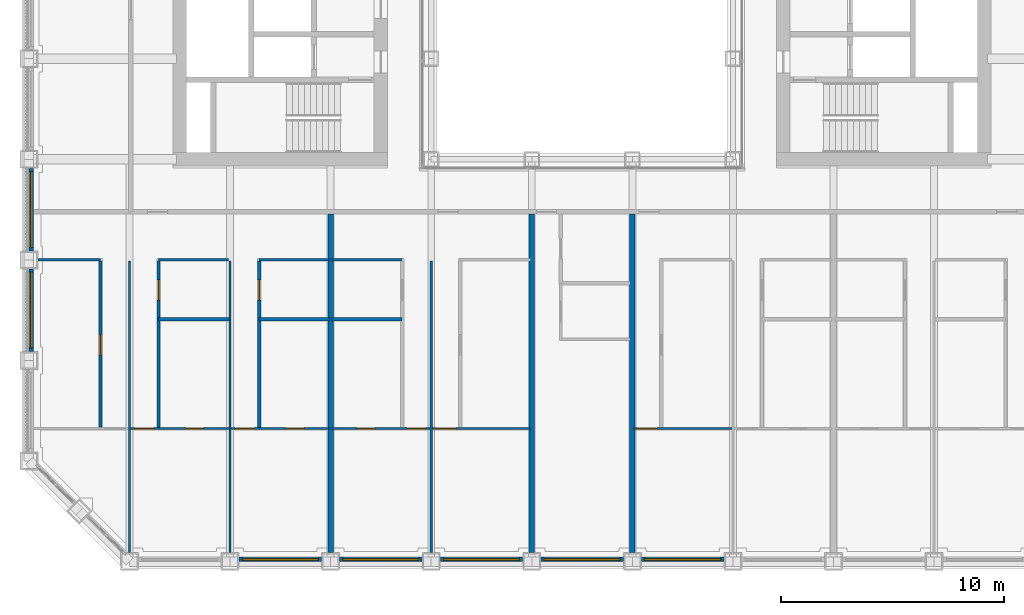
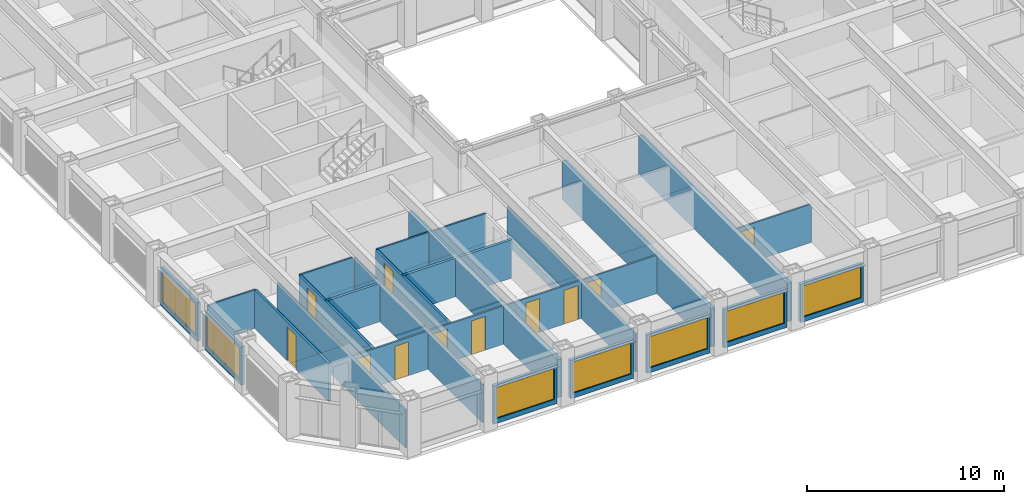
# One storey, part 9 of 20: 28 walls, 11 doors, 7 windows, 18 openings.
"""IFC4 building model written with IfcOpenShell, lengths in metres."""

from ifc_helpers import new_model, si_unit, direction, frame, frame_2d, origin, place, context, subcontext, project, spatial, rectangle, extrude, material, layer, layer_set, type_object, element, fill, save


model = new_model("IFC4")

# Units and contexts
model_context = context("Model", 3, precision=1e-05, world=origin(), true_north=direction((0.0, 1.0)))
body_context = subcontext(model_context, "Body", "Model", "MODEL_VIEW")
ifc_project = project(units=[si_unit("LENGTHUNIT", "METRE"), si_unit("AREAUNIT", "SQUARE_METRE"), si_unit("VOLUMEUNIT", "CUBIC_METRE"), si_unit("PLANEANGLEUNIT", "RADIAN"), si_unit("MASSUNIT", "GRAM", prefix="KILO")], contexts=[model_context])

# Site, building, storey
site_placement = place(None, origin())
site = spatial("IfcSite", under=ifc_project, at=site_placement, CompositionType="ELEMENT")
building_placement = place(site_placement, origin())
building = spatial("IfcBuilding", under=site, at=building_placement, Name="Msasa Ring Tower", CompositionType="ELEMENT")
storey_placement = place(building_placement, frame((0.0, 0.0, 65.0)))
storey = spatial("IfcBuildingStorey", under=building, at=storey_placement, Name="L16", CompositionType="ELEMENT", Elevation=65.0)

# Wall, opening, window
ifc_material_1 = material(Name="Terracotta rainscreen on blockwork", Category="masonry")
ifc_layer_1 = layer(ifc_material_1, 0.199951171875)
ifc_layer_set_1 = layer_set([ifc_layer_1], Name="FW1 TERRACOTTA-LINED INFILL BAY WALL 200")
wall_type_1 = type_object("IfcWallType", Name="FW1 TERRACOTTA-LINED INFILL BAY WALL 200", PredefinedType="SOLIDWALL", material=ifc_layer_set_1)
wall_1_placement = place(storey_placement, frame((-15.344970703125, -24.64990234375, 0.0), z_axis=(0.0, 0.0, 1.0), x_axis=(1.0, 0.0, 0.0)))
wall_1 = element("IfcWall", 1, at=wall_1_placement, inside=storey, type_object=wall_type_1, Name="Infill bay wall S L16 01", PredefinedType="SOLIDWALL", context=body_context, shape_type="SweptSolid", body=[
    extrude(rectangle(XDim=3.68994140625, YDim=0.199951171875, at=frame_2d((1.844970703125, 0.0))), origin(), (0.0, 0.0, 1.0), 2.37890625),
])
opening_1_placement = place(wall_1_placement, frame((0.14501953125, 0.0, 0.300048828125)))
opening_1 = element("IfcOpeningElement", 2, at=opening_1_placement, cuts=wall_1, Name="Opening WN1", PredefinedType="OPENING", context=body_context, shape_type="SweptSolid", body=[
    extrude(rectangle(XDim=3.39990234375, YDim=1.928955078125, at=frame_2d((1.699951171875, 0.96435546875))), frame((0.0, 0.10986328125, 0.0), z_axis=(0.0, -1.0, 0.0), x_axis=(1.0, 0.0, 0.0)), (0.0, 0.0, 1.0), 0.219970703125),
])
ifc_material_2 = material(Name="Aluminium frame with clear glass", Category="aluminium")
window_type = type_object("IfcWindowType", Name="WN1 RESIDENCE WINDOW 3400x1929", PartitioningType="SINGLE_PANEL", PredefinedType="WINDOW", material=ifc_material_2)
window_1_placement = place(opening_1_placement, origin())
window_1 = element("IfcWindow", 3, at=window_1_placement, inside=storey, type_object=window_type, Name="Window S L16 01", OverallHeight=1.928955078125, OverallWidth=3.39990234375, PartitioningType="SINGLE_PANEL", PredefinedType="WINDOW", context=body_context, shape_type="SweptSolid", body=[
    extrude(rectangle(XDim=3.39990234375, YDim=1.928955078125, at=frame_2d((1.699951171875, 0.96435546875))), frame((0.0, 0.030029296875, 0.0), z_axis=(0.0, -1.0, 0.0), x_axis=(1.0, 0.0, 0.0)), (0.0, 0.0, 1.0), 0.06005859375),
])
fill(opening_1, window_1)

wall_2_placement = place(storey_placement, frame((-10.844970703125, -24.64990234375, 0.0), z_axis=(0.0, 0.0, 1.0), x_axis=(1.0, 0.0, 0.0)))
wall_2 = element("IfcWall", 4, at=wall_2_placement, inside=storey, type_object=wall_type_1, Name="Infill bay wall S L16 02", PredefinedType="SOLIDWALL", context=body_context, shape_type="SweptSolid", body=[
    extrude(rectangle(XDim=3.68994140625, YDim=0.199951171875, at=frame_2d((1.844970703125, 0.0))), origin(), (0.0, 0.0, 1.0), 2.37890625),
])
opening_2_placement = place(wall_2_placement, frame((0.14501953125, 0.0, 0.300048828125)))
opening_2 = element("IfcOpeningElement", 5, at=opening_2_placement, cuts=wall_2, Name="Opening WN1", PredefinedType="OPENING", context=body_context, shape_type="SweptSolid", body=[
    extrude(rectangle(XDim=3.39990234375, YDim=1.928955078125, at=frame_2d((1.699951171875, 0.96435546875))), frame((0.0, 0.10986328125, 0.0), z_axis=(0.0, -1.0, 0.0), x_axis=(1.0, 0.0, 0.0)), (0.0, 0.0, 1.0), 0.219970703125),
])
window_2_placement = place(opening_2_placement, origin())
window_2 = element("IfcWindow", 6, at=window_2_placement, inside=storey, type_object=window_type, Name="Window S L16 02", OverallHeight=1.928955078125, OverallWidth=3.39990234375, PartitioningType="SINGLE_PANEL", PredefinedType="WINDOW", context=body_context, shape_type="SweptSolid", body=[
    extrude(rectangle(XDim=3.39990234375, YDim=1.928955078125, at=frame_2d((1.699951171875, 0.96435546875))), frame((0.0, 0.030029296875, 0.0), z_axis=(0.0, -1.0, 0.0), x_axis=(1.0, 0.0, 0.0)), (0.0, 0.0, 1.0), 0.06005859375),
])
fill(opening_2, window_2)

wall_3_placement = place(storey_placement, frame((-6.344970703125, -24.64990234375, 0.0), z_axis=(0.0, 0.0, 1.0), x_axis=(1.0, 0.0, 0.0)))
wall_3 = element("IfcWall", 7, at=wall_3_placement, inside=storey, type_object=wall_type_1, Name="Infill bay wall S L16 03", PredefinedType="SOLIDWALL", context=body_context, shape_type="SweptSolid", body=[
    extrude(rectangle(XDim=3.68994140625, YDim=0.199951171875, at=frame_2d((1.844970703125, 0.0))), origin(), (0.0, 0.0, 1.0), 2.37890625),
])
opening_3_placement = place(wall_3_placement, frame((0.14501953125, 0.0, 0.300048828125)))
opening_3 = element("IfcOpeningElement", 8, at=opening_3_placement, cuts=wall_3, Name="Opening WN1", PredefinedType="OPENING", context=body_context, shape_type="SweptSolid", body=[
    extrude(rectangle(XDim=3.39990234375, YDim=1.928955078125, at=frame_2d((1.699951171875, 0.96435546875))), frame((0.0, 0.10986328125, 0.0), z_axis=(0.0, -1.0, 0.0), x_axis=(1.0, 0.0, 0.0)), (0.0, 0.0, 1.0), 0.219970703125),
])
window_3_placement = place(opening_3_placement, origin())
window_3 = element("IfcWindow", 9, at=window_3_placement, inside=storey, type_object=window_type, Name="Window S L16 03", OverallHeight=1.928955078125, OverallWidth=3.39990234375, PartitioningType="SINGLE_PANEL", PredefinedType="WINDOW", context=body_context, shape_type="SweptSolid", body=[
    extrude(rectangle(XDim=3.39990234375, YDim=1.928955078125, at=frame_2d((1.699951171875, 0.96435546875))), frame((0.0, 0.030029296875, 0.0), z_axis=(0.0, -1.0, 0.0), x_axis=(1.0, 0.0, 0.0)), (0.0, 0.0, 1.0), 0.06005859375),
])
fill(opening_3, window_3)

wall_4_placement = place(storey_placement, frame((-1.844970703125, -24.64990234375, 0.0), z_axis=(0.0, 0.0, 1.0), x_axis=(1.0, 0.0, 0.0)))
wall_4 = element("IfcWall", 10, at=wall_4_placement, inside=storey, type_object=wall_type_1, Name="Infill bay wall S L16 04", PredefinedType="SOLIDWALL", context=body_context, shape_type="SweptSolid", body=[
    extrude(rectangle(XDim=3.68994140625, YDim=0.199951171875, at=frame_2d((1.844970703125, 0.0))), origin(), (0.0, 0.0, 1.0), 2.37890625),
])
opening_4_placement = place(wall_4_placement, frame((0.14501953125, 0.0, 0.300048828125)))
opening_4 = element("IfcOpeningElement", 11, at=opening_4_placement, cuts=wall_4, Name="Opening WN1", PredefinedType="OPENING", context=body_context, shape_type="SweptSolid", body=[
    extrude(rectangle(XDim=3.39990234375, YDim=1.928955078125, at=frame_2d((1.699951171875, 0.96435546875))), frame((0.0, 0.10986328125, 0.0), z_axis=(0.0, -1.0, 0.0), x_axis=(1.0, 0.0, 0.0)), (0.0, 0.0, 1.0), 0.219970703125),
])
window_4_placement = place(opening_4_placement, origin())
window_4 = element("IfcWindow", 12, at=window_4_placement, inside=storey, type_object=window_type, Name="Window S L16 04", OverallHeight=1.928955078125, OverallWidth=3.39990234375, PartitioningType="SINGLE_PANEL", PredefinedType="WINDOW", context=body_context, shape_type="SweptSolid", body=[
    extrude(rectangle(XDim=3.39990234375, YDim=1.928955078125, at=frame_2d((1.699951171875, 0.96435546875))), frame((0.0, 0.030029296875, 0.0), z_axis=(0.0, -1.0, 0.0), x_axis=(1.0, 0.0, 0.0)), (0.0, 0.0, 1.0), 0.06005859375),
])
fill(opening_4, window_4)

wall_5_placement = place(storey_placement, frame((2.655029296875, -24.64990234375, 0.0), z_axis=(0.0, 0.0, 1.0), x_axis=(1.0, 0.0, 0.0)))
wall_5 = element("IfcWall", 13, at=wall_5_placement, inside=storey, type_object=wall_type_1, Name="Infill bay wall S L16 05", PredefinedType="SOLIDWALL", context=body_context, shape_type="SweptSolid", body=[
    extrude(rectangle(XDim=3.68994140625, YDim=0.199951171875, at=frame_2d((1.844970703125, 0.0))), origin(), (0.0, 0.0, 1.0), 2.37890625),
])
opening_5_placement = place(wall_5_placement, frame((0.14501953125, 0.0, 0.300048828125)))
opening_5 = element("IfcOpeningElement", 14, at=opening_5_placement, cuts=wall_5, Name="Opening WN1", PredefinedType="OPENING", context=body_context, shape_type="SweptSolid", body=[
    extrude(rectangle(XDim=3.39990234375, YDim=1.928955078125, at=frame_2d((1.699951171875, 0.96435546875))), frame((0.0, 0.10986328125, 0.0), z_axis=(0.0, -1.0, 0.0), x_axis=(1.0, 0.0, 0.0)), (0.0, 0.0, 1.0), 0.219970703125),
])
window_5_placement = place(opening_5_placement, origin())
window_5 = element("IfcWindow", 15, at=window_5_placement, inside=storey, type_object=window_type, Name="Window S L16 05", OverallHeight=1.928955078125, OverallWidth=3.39990234375, PartitioningType="SINGLE_PANEL", PredefinedType="WINDOW", context=body_context, shape_type="SweptSolid", body=[
    extrude(rectangle(XDim=3.39990234375, YDim=1.928955078125, at=frame_2d((1.699951171875, 0.96435546875))), frame((0.0, 0.030029296875, 0.0), z_axis=(0.0, -1.0, 0.0), x_axis=(1.0, 0.0, 0.0)), (0.0, 0.0, 1.0), 0.06005859375),
])
fill(opening_5, window_5)

wall_6_placement = place(storey_placement, frame((-24.64990234375, -15.344970703125, 0.0), z_axis=(0.0, 0.0, 1.0), x_axis=(0.0, 1.0, 0.0)))
wall_6 = element("IfcWall", 16, at=wall_6_placement, inside=storey, type_object=wall_type_1, Name="Infill bay wall W L16 34", PredefinedType="SOLIDWALL", context=body_context, shape_type="SweptSolid", body=[
    extrude(rectangle(XDim=3.68994140625, YDim=0.199951171875, at=frame_2d((1.844970703125, 0.0))), origin(), (0.0, 0.0, 1.0), 2.37890625),
])
opening_6_placement = place(wall_6_placement, frame((0.14501953125, 0.0, 0.300048828125)))
opening_6 = element("IfcOpeningElement", 17, at=opening_6_placement, cuts=wall_6, Name="Opening WN1", PredefinedType="OPENING", context=body_context, shape_type="SweptSolid", body=[
    extrude(rectangle(XDim=3.39990234375, YDim=1.928955078125, at=frame_2d((1.699951171875, 0.96435546875))), frame((0.0, 0.10986328125, 0.0), z_axis=(0.0, -1.0, 0.0), x_axis=(1.0, 0.0, 0.0)), (0.0, 0.0, 1.0), 0.219970703125),
])
window_6_placement = place(opening_6_placement, origin())
window_6 = element("IfcWindow", 18, at=window_6_placement, inside=storey, type_object=window_type, Name="Window W L16 34", OverallHeight=1.928955078125, OverallWidth=3.39990234375, PartitioningType="SINGLE_PANEL", PredefinedType="WINDOW", context=body_context, shape_type="SweptSolid", body=[
    extrude(rectangle(XDim=3.39990234375, YDim=1.928955078125, at=frame_2d((1.699951171875, 0.96435546875))), frame((0.0, 0.030029296875, 0.0), z_axis=(0.0, -1.0, 0.0), x_axis=(1.0, 0.0, 0.0)), (0.0, 0.0, 1.0), 0.06005859375),
])
fill(opening_6, window_6)

wall_7_placement = place(storey_placement, frame((-24.64990234375, -10.844970703125, 0.0), z_axis=(0.0, 0.0, 1.0), x_axis=(0.0, 1.0, 0.0)))
wall_7 = element("IfcWall", 19, at=wall_7_placement, inside=storey, type_object=wall_type_1, Name="Infill bay wall W L16 35", PredefinedType="SOLIDWALL", context=body_context, shape_type="SweptSolid", body=[
    extrude(rectangle(XDim=3.68994140625, YDim=0.199951171875, at=frame_2d((1.844970703125, 0.0))), origin(), (0.0, 0.0, 1.0), 2.37890625),
])
opening_7_placement = place(wall_7_placement, frame((0.14501953125, 0.0, 0.300048828125)))
opening_7 = element("IfcOpeningElement", 20, at=opening_7_placement, cuts=wall_7, Name="Opening WN1", PredefinedType="OPENING", context=body_context, shape_type="SweptSolid", body=[
    extrude(rectangle(XDim=3.39990234375, YDim=1.928955078125, at=frame_2d((1.699951171875, 0.96435546875))), frame((0.0, 0.10986328125, 0.0), z_axis=(0.0, -1.0, 0.0), x_axis=(1.0, 0.0, 0.0)), (0.0, 0.0, 1.0), 0.219970703125),
])
window_7_placement = place(opening_7_placement, origin())
window_7 = element("IfcWindow", 21, at=window_7_placement, inside=storey, type_object=window_type, Name="Window W L16 35", OverallHeight=1.928955078125, OverallWidth=3.39990234375, PartitioningType="SINGLE_PANEL", PredefinedType="WINDOW", context=body_context, shape_type="SweptSolid", body=[
    extrude(rectangle(XDim=3.39990234375, YDim=1.928955078125, at=frame_2d((1.699951171875, 0.96435546875))), frame((0.0, 0.030029296875, 0.0), z_axis=(0.0, -1.0, 0.0), x_axis=(1.0, 0.0, 0.0)), (0.0, 0.0, 1.0), 0.06005859375),
])
fill(opening_7, window_7)

# Walls
ifc_material_3 = material(Name="Gypsum board on steel studs", Category="steel")
ifc_layer_2 = layer(ifc_material_3, 0.10009765625)
ifc_layer_set_2 = layer_set([ifc_layer_2], Name="PT2 STUD PARTITION 100")
wall_type_2 = type_object("IfcWallType", Name="PT2 STUD PARTITION 100", PredefinedType="PARTITIONING", material=ifc_layer_set_2)
wall_8_placement = place(storey_placement, frame((-24.35009765625, -11.25, 0.0), z_axis=(0.0, 0.0, 1.0), x_axis=(1.0, 0.0, 0.0)))
element("IfcWall", 22, at=wall_8_placement, inside=storey, type_object=wall_type_2, Name="Partition L16-US00HY0", PredefinedType="PARTITIONING", context=body_context, shape_type="SweptSolid", body=[
    extrude(rectangle(XDim=2.800048828125, YDim=0.10009765625, at=frame_2d((1.39990234375, 0.0))), origin(), (0.0, 0.0, 1.0), 2.373291015625),
])
wall_9_placement = place(storey_placement, frame((-20.25, -24.35009765625, 0.0), z_axis=(0.0, 0.0, 1.0), x_axis=(0.0, 1.0, 0.0)))
element("IfcWall", 23, at=wall_9_placement, inside=storey, type_object=wall_type_2, Name="Partition L16-US00P1", PredefinedType="PARTITIONING", context=body_context, shape_type="SweptSolid", body=[
    extrude(rectangle(XDim=13.050048828125, YDim=0.10009765625, at=frame_2d((6.52490234375, 0.0))), origin(), (0.0, 0.0, 1.0), 2.373291015625),
])
wall_10_placement = place(storey_placement, frame((-18.949951171875, -11.25, 0.0), z_axis=(0.0, 0.0, 1.0), x_axis=(1.0, 0.0, 0.0)))
element("IfcWall", 24, at=wall_10_placement, inside=storey, type_object=wall_type_2, Name="Partition L16-US00HY1", PredefinedType="PARTITIONING", context=body_context, shape_type="SweptSolid", body=[
    extrude(rectangle(XDim=3.139892578125, YDim=0.10009765625, at=frame_2d((1.56982421875, 0.0))), origin(), (0.0, 0.0, 1.0), 2.373291015625),
])

# Wall, openings, doors
wall_11_placement = place(storey_placement, frame((-20.199951171875, -18.800048828125, 0.0), z_axis=(0.0, 0.0, 1.0), x_axis=(1.0, 0.0, 0.0)))
wall_11 = element("IfcWall", 25, at=wall_11_placement, inside=storey, type_object=wall_type_2, Name="Partition L16-US00SY1", PredefinedType="PARTITIONING", context=body_context, shape_type="SweptSolid", body=[
    extrude(rectangle(XDim=4.39990234375, YDim=0.10009765625, at=frame_2d((2.199951171875, 0.0))), origin(), (0.0, 0.0, 1.0), 2.373291015625),
])
opening_8_placement = place(wall_11_placement, frame((0.175048828125, 0.0, 0.0)))
opening_8 = element("IfcOpeningElement", 26, at=opening_8_placement, cuts=wall_11, Name="Opening RD-065", PredefinedType="OPENING", context=body_context, shape_type="SweptSolid", body=[
    extrude(rectangle(XDim=0.85009765625, YDim=2.10009765625, at=frame_2d((0.425048828125, 1.050048828125))), frame((0.0, 0.06005859375, 0.0), z_axis=(0.0, -1.0, 0.0), x_axis=(1.0, 0.0, 0.0)), (0.0, 0.0, 1.0), 0.1201171875),
])
opening_9_placement = place(wall_11_placement, frame((2.4599609375, 0.0, 0.0)))
opening_9 = element("IfcOpeningElement", 27, at=opening_9_placement, cuts=wall_11, Name="Opening RD-066", PredefinedType="OPENING", context=body_context, shape_type="SweptSolid", body=[
    extrude(rectangle(XDim=0.800048828125, YDim=2.10009765625, at=frame_2d((0.39990234375, 1.050048828125))), frame((0.0, 0.06005859375, 0.0), z_axis=(0.0, -1.0, 0.0), x_axis=(1.0, 0.0, 0.0)), (0.0, 0.0, 1.0), 0.1201171875),
])
ifc_material_4 = material(Name="Timber door leaf in a steel frame", Category="steel")
door_type_1 = type_object("IfcDoorType", Name="D14 BEDROOM DOOR 850x2100", OperationType="SINGLE_SWING_LEFT", PredefinedType="DOOR", material=ifc_material_4)
door_1_placement = place(opening_8_placement, origin())
door_1 = element("IfcDoor", 28, at=door_1_placement, inside=storey, type_object=door_type_1, Name="Door L16-US00R1", OperationType="SINGLE_SWING_LEFT", OverallHeight=2.10009765625, OverallWidth=0.85009765625, PredefinedType="DOOR", context=body_context, shape_type="SweptSolid", body=[
    extrude(rectangle(XDim=0.85009765625, YDim=2.10009765625, at=frame_2d((0.425048828125, 1.050048828125))), frame((0.0, 0.02490234375, 0.0), z_axis=(0.0, -1.0, 0.0), x_axis=(1.0, 0.0, 0.0)), (0.0, 0.0, 1.0), 0.050048828125),
])
fill(opening_8, door_1)
ifc_material_5 = material(Name="Timber door leaf in a steel frame", Category="steel")
door_type_2 = type_object("IfcDoorType", Name="D60 DRESSING ROOM DOOR 800x2100", OperationType="SINGLE_SWING_LEFT", PredefinedType="DOOR", material=ifc_material_5)
door_2_placement = place(opening_9_placement, origin())
door_2 = element("IfcDoor", 29, at=door_2_placement, inside=storey, type_object=door_type_2, Name="Door L16-US00W1", OperationType="SINGLE_SWING_RIGHT", OverallHeight=2.10009765625, OverallWidth=0.800048828125, PredefinedType="DOOR", context=body_context, shape_type="SweptSolid", body=[
    extrude(rectangle(XDim=0.800048828125, YDim=2.10009765625, at=frame_2d((0.39990234375, 1.050048828125))), frame((0.0, 0.02490234375, 0.0), z_axis=(0.0, -1.0, 0.0), x_axis=(1.0, 0.0, 0.0)), (0.0, 0.0, 1.0), 0.050048828125),
])
fill(opening_9, door_2)

# Walls
wall_12_placement = place(storey_placement, frame((-15.75, -24.35009765625, 0.0), z_axis=(0.0, 0.0, 1.0), x_axis=(0.0, 1.0, 0.0)))
element("IfcWall", 30, at=wall_12_placement, inside=storey, type_object=wall_type_2, Name="Partition L16-US00P2", PredefinedType="PARTITIONING", context=body_context, shape_type="SweptSolid", body=[
    extrude(rectangle(XDim=13.050048828125, YDim=0.10009765625, at=frame_2d((6.52490234375, 0.0))), origin(), (0.0, 0.0, 1.0), 2.373291015625),
])
wall_13_placement = place(storey_placement, frame((-14.449951171875, -11.25, 0.0), z_axis=(0.0, 0.0, 1.0), x_axis=(1.0, 0.0, 0.0)))
element("IfcWall", 31, at=wall_13_placement, inside=storey, type_object=wall_type_2, Name="Partition L16-US00HY2", PredefinedType="PARTITIONING", context=body_context, shape_type="SweptSolid", body=[
    extrude(rectangle(XDim=3.139892578125, YDim=0.10009765625, at=frame_2d((1.56982421875, 0.0))), origin(), (0.0, 0.0, 1.0), 2.373291015625),
])

# Wall, openings, doors
wall_14_placement = place(storey_placement, frame((-15.699951171875, -18.800048828125, 0.0), z_axis=(0.0, 0.0, 1.0), x_axis=(1.0, 0.0, 0.0)))
wall_14 = element("IfcWall", 32, at=wall_14_placement, inside=storey, type_object=wall_type_2, Name="Partition L16-US00SY2", PredefinedType="PARTITIONING", context=body_context, shape_type="SweptSolid", body=[
    extrude(rectangle(XDim=4.389892578125, YDim=0.10009765625, at=frame_2d((2.19482421875, 0.0))), origin(), (0.0, 0.0, 1.0), 2.373291015625),
])
opening_10_placement = place(wall_14_placement, frame((0.175048828125, 0.0, 0.0)))
opening_10 = element("IfcOpeningElement", 33, at=opening_10_placement, cuts=wall_14, Name="Opening RD-067", PredefinedType="OPENING", context=body_context, shape_type="SweptSolid", body=[
    extrude(rectangle(XDim=0.85009765625, YDim=2.10009765625, at=frame_2d((0.425048828125, 1.050048828125))), frame((0.0, 0.06005859375, 0.0), z_axis=(0.0, -1.0, 0.0), x_axis=(1.0, 0.0, 0.0)), (0.0, 0.0, 1.0), 0.1201171875),
])
opening_11_placement = place(wall_14_placement, frame((2.4599609375, 0.0, 0.0)))
opening_11 = element("IfcOpeningElement", 34, at=opening_11_placement, cuts=wall_14, Name="Opening RD-068", PredefinedType="OPENING", context=body_context, shape_type="SweptSolid", body=[
    extrude(rectangle(XDim=0.800048828125, YDim=2.10009765625, at=frame_2d((0.39990234375, 1.050048828125))), frame((0.0, 0.06005859375, 0.0), z_axis=(0.0, -1.0, 0.0), x_axis=(1.0, 0.0, 0.0)), (0.0, 0.0, 1.0), 0.1201171875),
])
door_3_placement = place(opening_10_placement, origin())
door_3 = element("IfcDoor", 35, at=door_3_placement, inside=storey, type_object=door_type_1, Name="Door L16-US00R2", OperationType="SINGLE_SWING_LEFT", OverallHeight=2.10009765625, OverallWidth=0.85009765625, PredefinedType="DOOR", context=body_context, shape_type="SweptSolid", body=[
    extrude(rectangle(XDim=0.85009765625, YDim=2.10009765625, at=frame_2d((0.425048828125, 1.050048828125))), frame((0.0, 0.02490234375, 0.0), z_axis=(0.0, -1.0, 0.0), x_axis=(1.0, 0.0, 0.0)), (0.0, 0.0, 1.0), 0.050048828125),
])
fill(opening_10, door_3)
door_4_placement = place(opening_11_placement, origin())
door_4 = element("IfcDoor", 36, at=door_4_placement, inside=storey, type_object=door_type_2, Name="Door L16-US00W2", OperationType="SINGLE_SWING_RIGHT", OverallHeight=2.10009765625, OverallWidth=0.800048828125, PredefinedType="DOOR", context=body_context, shape_type="SweptSolid", body=[
    extrude(rectangle(XDim=0.800048828125, YDim=2.10009765625, at=frame_2d((0.39990234375, 1.050048828125))), frame((0.0, 0.02490234375, 0.0), z_axis=(0.0, -1.0, 0.0), x_axis=(1.0, 0.0, 0.0)), (0.0, 0.0, 1.0), 0.050048828125),
])
fill(opening_11, door_4)

# Wall, opening, door
wall_15_placement = place(storey_placement, frame((-6.699951171875, -18.800048828125, 0.0), z_axis=(0.0, 0.0, 1.0), x_axis=(1.0, 0.0, 0.0)))
wall_15 = element("IfcWall", 37, at=wall_15_placement, inside=storey, type_object=wall_type_2, Name="Partition L16-US01SY0", PredefinedType="PARTITIONING", context=body_context, shape_type="SweptSolid", body=[
    extrude(rectangle(XDim=4.389892578125, YDim=0.10009765625, at=frame_2d((2.19482421875, 0.0))), origin(), (0.0, 0.0, 1.0), 2.373291015625),
])
opening_12_placement = place(wall_15_placement, frame((0.14990234375, 0.0, 0.0)))
opening_12 = element("IfcOpeningElement", 38, at=opening_12_placement, cuts=wall_15, Name="Opening RD-071", PredefinedType="OPENING", context=body_context, shape_type="SweptSolid", body=[
    extrude(rectangle(XDim=0.89990234375, YDim=2.10009765625, at=frame_2d((0.449951171875, 1.050048828125))), frame((0.0, 0.06005859375, 0.0), z_axis=(0.0, -1.0, 0.0), x_axis=(1.0, 0.0, 0.0)), (0.0, 0.0, 1.0), 0.1201171875),
])
ifc_material_6 = material(Name="Timber door leaf in a steel frame", Category="steel")
door_type_3 = type_object("IfcDoorType", Name="D22 INTERNAL HALL DOOR 900x2100", OperationType="SINGLE_SWING_LEFT", PredefinedType="DOOR", material=ifc_material_6)
door_5_placement = place(opening_12_placement, origin())
door_5 = element("IfcDoor", 39, at=door_5_placement, inside=storey, type_object=door_type_3, Name="Door L16-US01L", OperationType="SINGLE_SWING_LEFT", OverallHeight=2.10009765625, OverallWidth=0.89990234375, PredefinedType="DOOR", context=body_context, shape_type="SweptSolid", body=[
    extrude(rectangle(XDim=0.89990234375, YDim=2.10009765625, at=frame_2d((0.449951171875, 1.050048828125))), frame((0.0, 0.02490234375, 0.0), z_axis=(0.0, -1.0, 0.0), x_axis=(1.0, 0.0, 0.0)), (0.0, 0.0, 1.0), 0.050048828125),
])
fill(opening_12, door_5)

# Walls
wall_16_placement = place(storey_placement, frame((-6.75, -24.35009765625, 0.0), z_axis=(0.0, 0.0, 1.0), x_axis=(0.0, 1.0, 0.0)))
element("IfcWall", 40, at=wall_16_placement, inside=storey, type_object=wall_type_2, Name="Partition L16-US01P1", PredefinedType="PARTITIONING", context=body_context, shape_type="SweptSolid", body=[
    extrude(rectangle(XDim=13.050048828125, YDim=0.10009765625, at=frame_2d((6.52490234375, 0.0))), origin(), (0.0, 0.0, 1.0), 2.373291015625),
])
wall_17_placement = place(storey_placement, frame((-11.18994140625, -11.25, 0.0), z_axis=(0.0, 0.0, 1.0), x_axis=(1.0, 0.0, 0.0)))
element("IfcWall", 41, at=wall_17_placement, inside=storey, type_object=wall_type_2, Name="Partition L16-US01HY1", PredefinedType="PARTITIONING", context=body_context, shape_type="SweptSolid", body=[
    extrude(rectangle(XDim=3.139892578125, YDim=0.10009765625, at=frame_2d((1.56982421875, 0.0))), origin(), (0.0, 0.0, 1.0), 2.373291015625),
])

# Wall, openings, doors
wall_18_placement = place(storey_placement, frame((-11.18994140625, -18.800048828125, 0.0), z_axis=(0.0, 0.0, 1.0), x_axis=(1.0, 0.0, 0.0)))
wall_18 = element("IfcWall", 42, at=wall_18_placement, inside=storey, type_object=wall_type_2, Name="Partition L16-US01SY1", PredefinedType="PARTITIONING", context=body_context, shape_type="SweptSolid", body=[
    extrude(rectangle(XDim=4.389892578125, YDim=0.10009765625, at=frame_2d((2.19482421875, 0.0))), origin(), (0.0, 0.0, 1.0), 2.373291015625),
])
opening_13_placement = place(wall_18_placement, frame((3.364990234375, 0.0, 0.0)))
opening_13 = element("IfcOpeningElement", 43, at=opening_13_placement, cuts=wall_18, Name="Opening RD-070", PredefinedType="OPENING", context=body_context, shape_type="SweptSolid", body=[
    extrude(rectangle(XDim=0.85009765625, YDim=2.10009765625, at=frame_2d((0.425048828125, 1.050048828125))), frame((0.0, 0.06005859375, 0.0), z_axis=(0.0, -1.0, 0.0), x_axis=(1.0, 0.0, 0.0)), (0.0, 0.0, 1.0), 0.1201171875),
])
opening_14_placement = place(wall_18_placement, frame((1.1298828125, 0.0, 0.0)))
opening_14 = element("IfcOpeningElement", 44, at=opening_14_placement, cuts=wall_18, Name="Opening RD-069", PredefinedType="OPENING", context=body_context, shape_type="SweptSolid", body=[
    extrude(rectangle(XDim=0.800048828125, YDim=2.10009765625, at=frame_2d((0.39990234375, 1.050048828125))), frame((0.0, 0.06005859375, 0.0), z_axis=(0.0, -1.0, 0.0), x_axis=(1.0, 0.0, 0.0)), (0.0, 0.0, 1.0), 0.1201171875),
])
door_6_placement = place(opening_13_placement, origin())
door_6 = element("IfcDoor", 45, at=door_6_placement, inside=storey, type_object=door_type_1, Name="Door L16-US01R1", OperationType="SINGLE_SWING_RIGHT", OverallHeight=2.10009765625, OverallWidth=0.85009765625, PredefinedType="DOOR", context=body_context, shape_type="SweptSolid", body=[
    extrude(rectangle(XDim=0.85009765625, YDim=2.10009765625, at=frame_2d((0.425048828125, 1.050048828125))), frame((0.0, 0.02490234375, 0.0), z_axis=(0.0, -1.0, 0.0), x_axis=(1.0, 0.0, 0.0)), (0.0, 0.0, 1.0), 0.050048828125),
])
fill(opening_13, door_6)
door_7_placement = place(opening_14_placement, origin())
door_7 = element("IfcDoor", 46, at=door_7_placement, inside=storey, type_object=door_type_2, Name="Door L16-US01W1", OperationType="SINGLE_SWING_LEFT", OverallHeight=2.10009765625, OverallWidth=0.800048828125, PredefinedType="DOOR", context=body_context, shape_type="SweptSolid", body=[
    extrude(rectangle(XDim=0.800048828125, YDim=2.10009765625, at=frame_2d((0.39990234375, 1.050048828125))), frame((0.0, 0.02490234375, 0.0), z_axis=(0.0, -1.0, 0.0), x_axis=(1.0, 0.0, 0.0)), (0.0, 0.0, 1.0), 0.050048828125),
])
fill(opening_14, door_7)

# Wall, opening, door
wall_19_placement = place(storey_placement, frame((2.31005859375, -18.800048828125, 0.0), z_axis=(0.0, 0.0, 1.0), x_axis=(1.0, 0.0, 0.0)))
wall_19 = element("IfcWall", 47, at=wall_19_placement, inside=storey, type_object=wall_type_2, Name="Partition L16-US03SY0", PredefinedType="PARTITIONING", context=body_context, shape_type="SweptSolid", body=[
    extrude(rectangle(XDim=4.389892578125, YDim=0.10009765625, at=frame_2d((2.19482421875, 0.0))), origin(), (0.0, 0.0, 1.0), 2.373291015625),
])
opening_15_placement = place(wall_19_placement, frame((0.139892578125, 0.0, 0.0)))
opening_15 = element("IfcOpeningElement", 48, at=opening_15_placement, cuts=wall_19, Name="Opening RD-072", PredefinedType="OPENING", context=body_context, shape_type="SweptSolid", body=[
    extrude(rectangle(XDim=0.89990234375, YDim=2.10009765625, at=frame_2d((0.449951171875, 1.050048828125))), frame((0.0, 0.06005859375, 0.0), z_axis=(0.0, -1.0, 0.0), x_axis=(1.0, 0.0, 0.0)), (0.0, 0.0, 1.0), 0.1201171875),
])
door_8_placement = place(opening_15_placement, origin())
door_8 = element("IfcDoor", 49, at=door_8_placement, inside=storey, type_object=door_type_3, Name="Door L16-US03L", OperationType="SINGLE_SWING_LEFT", OverallHeight=2.10009765625, OverallWidth=0.89990234375, PredefinedType="DOOR", context=body_context, shape_type="SweptSolid", body=[
    extrude(rectangle(XDim=0.89990234375, YDim=2.10009765625, at=frame_2d((0.449951171875, 1.050048828125))), frame((0.0, 0.02490234375, 0.0), z_axis=(0.0, -1.0, 0.0), x_axis=(1.0, 0.0, 0.0)), (0.0, 0.0, 1.0), 0.050048828125),
])
fill(opening_15, door_8)

# Walls
ifc_material_7 = material(Name="Dense concrete blockwork, plastered both faces", Category="masonry")
ifc_layer_3 = layer(ifc_material_7, 0.25)
ifc_layer_set_3 = layer_set([ifc_layer_3], Name="PT3 APARTMENT SEPARATING WALL 250")
wall_type_3 = type_object("IfcWallType", Name="PT3 APARTMENT SEPARATING WALL 250", PredefinedType="PARTITIONING", material=ifc_layer_set_3)
for number, where, z_axis, x_axis, name in (
    (50, (-11.25, -24.35009765625, 0.0), (0.0, 0.0, 1.0), (0.0, 1.0, 0.0), "Party wall L16-PWS-11.25"),
    (51, (-2.25, -24.35009765625, 0.0), (0.0, 0.0, 1.0), (0.0, 1.0, 0.0), "Party wall L16-PWS-2.25"),
    (52, (2.25, -24.35009765625, 0.0), (0.0, 0.0, 1.0), (0.0, 1.0, 0.0), "Party wall L16-PWS+2.25"),
):
    element("IfcWall", number, at=place(storey_placement, frame(where, z_axis=z_axis, x_axis=x_axis)), inside=storey, type_object=wall_type_3, Name=name, PredefinedType="PARTITIONING", context=body_context, shape_type="SweptSolid", body=[
        extrude(rectangle(XDim=15.150146484375, YDim=0.25, at=frame_2d((7.5751953125, 0.0))), origin(), (0.0, 0.0, 1.0), 2.373291015625),
    ])

# Wall, opening, door
ifc_material_8 = material(Name="Moisture-resistant board on steel studs with a concealed cistern and pipe void, tiled", Category="steel")
ifc_layer_4 = layer(ifc_material_8, 0.14990234375)
ifc_layer_set_4 = layer_set([ifc_layer_4], Name="PT4 BATHROOM WET WALL 150")
wall_type_4 = type_object("IfcWallType", Name="PT4 BATHROOM WET WALL 150", PredefinedType="PARTITIONING", material=ifc_layer_set_4)
wall_20_placement = place(storey_placement, frame((-21.550048828125, -18.800048828125, 0.0), z_axis=(0.0, 0.0, 1.0), x_axis=(0.0, 1.0, 0.0)))
wall_20 = element("IfcWall", 53, at=wall_20_placement, inside=storey, type_object=wall_type_4, Name="Partition L16-US00SX0", PredefinedType="PARTITIONING", context=body_context, shape_type="SweptSolid", body=[
    extrude(rectangle(XDim=7.5, YDim=0.14990234375, at=frame_2d((3.75, 0.0))), origin(), (0.0, 0.0, 1.0), 2.373291015625),
])
opening_16_placement = place(wall_20_placement, frame((3.300048828125, 0.0, 0.0)))
opening_16 = element("IfcOpeningElement", 54, at=opening_16_placement, cuts=wall_20, Name="Opening RD-060", PredefinedType="OPENING", context=body_context, shape_type="SweptSolid", body=[
    extrude(rectangle(XDim=0.89990234375, YDim=2.10009765625, at=frame_2d((0.449951171875, 1.050048828125))), frame((0.0, 0.0849609375, 0.0), z_axis=(0.0, -1.0, 0.0), x_axis=(1.0, 0.0, 0.0)), (0.0, 0.0, 1.0), 0.169921875),
])
door_9_placement = place(opening_16_placement, origin())
door_9 = element("IfcDoor", 55, at=door_9_placement, inside=storey, type_object=door_type_3, Name="Door L16-US00K", OperationType="SINGLE_SWING_LEFT", OverallHeight=2.10009765625, OverallWidth=0.89990234375, PredefinedType="DOOR", context=body_context, shape_type="SweptSolid", body=[
    extrude(rectangle(XDim=0.89990234375, YDim=2.10009765625, at=frame_2d((0.449951171875, 1.050048828125))), frame((0.0, 0.02490234375, 0.0), z_axis=(0.0, -1.0, 0.0), x_axis=(1.0, 0.0, 0.0)), (0.0, 0.0, 1.0), 0.050048828125),
])
fill(opening_16, door_9)

wall_21_placement = place(storey_placement, frame((-18.949951171875, -18.800048828125, 0.0), z_axis=(0.0, 0.0, 1.0), x_axis=(0.0, 1.0, 0.0)))
wall_21 = element("IfcWall", 56, at=wall_21_placement, inside=storey, type_object=wall_type_4, Name="Partition L16-US00SX1", PredefinedType="PARTITIONING", context=body_context, shape_type="SweptSolid", body=[
    extrude(rectangle(XDim=7.5, YDim=0.14990234375, at=frame_2d((3.75, 0.0))), origin(), (0.0, 0.0, 1.0), 2.373291015625),
])
opening_17_placement = place(wall_21_placement, frame((5.75, 0.0, 0.0)))
opening_17 = element("IfcOpeningElement", 57, at=opening_17_placement, cuts=wall_21, Name="Opening RD-053", PredefinedType="OPENING", context=body_context, shape_type="SweptSolid", body=[
    extrude(rectangle(XDim=0.89990234375, YDim=2.10009765625, at=frame_2d((0.449951171875, 1.050048828125))), frame((0.0, 0.0849609375, 0.0), z_axis=(0.0, -1.0, 0.0), x_axis=(1.0, 0.0, 0.0)), (0.0, 0.0, 1.0), 0.169921875),
])
ifc_material_9 = material(Name="Timber door leaf in a steel frame", Category="steel")
door_type_4 = type_object("IfcDoorType", Name="D3 BATHROOM DOOR 900x2100", OperationType="SINGLE_SWING_LEFT", PredefinedType="DOOR", material=ifc_material_9)
door_10_placement = place(opening_17_placement, origin())
door_10 = element("IfcDoor", 58, at=door_10_placement, inside=storey, type_object=door_type_4, Name="Door L16-US00B1", OperationType="SINGLE_SWING_RIGHT", OverallHeight=2.10009765625, OverallWidth=0.89990234375, PredefinedType="DOOR", context=body_context, shape_type="SweptSolid", body=[
    extrude(rectangle(XDim=0.89990234375, YDim=2.10009765625, at=frame_2d((0.449951171875, 1.050048828125))), frame((0.0, 0.02490234375, 0.0), z_axis=(0.0, -1.0, 0.0), x_axis=(1.0, 0.0, 0.0)), (0.0, 0.0, 1.0), 0.050048828125),
])
fill(opening_17, door_10)

# Wall
wall_22_placement = place(storey_placement, frame((-18.949951171875, -13.89990234375, 0.0), z_axis=(0.0, 0.0, 1.0), x_axis=(1.0, 0.0, 0.0)))
element("IfcWall", 59, at=wall_22_placement, inside=storey, type_object=wall_type_4, Name="Partition L16-US00SB1", PredefinedType="PARTITIONING", context=body_context, shape_type="SweptSolid", body=[
    extrude(rectangle(XDim=3.14990234375, YDim=0.14990234375, at=frame_2d((1.574951171875, 0.0))), origin(), (0.0, 0.0, 1.0), 2.373291015625),
])

# Wall, opening, door
wall_23_placement = place(storey_placement, frame((-14.449951171875, -18.800048828125, 0.0), z_axis=(0.0, 0.0, 1.0), x_axis=(0.0, 1.0, 0.0)))
wall_23 = element("IfcWall", 60, at=wall_23_placement, inside=storey, type_object=wall_type_4, Name="Partition L16-US00SX2", PredefinedType="PARTITIONING", context=body_context, shape_type="SweptSolid", body=[
    extrude(rectangle(XDim=7.5, YDim=0.14990234375, at=frame_2d((3.75, 0.0))), origin(), (0.0, 0.0, 1.0), 2.373291015625),
])
opening_18_placement = place(wall_23_placement, frame((5.75, 0.0, 0.0)))
opening_18 = element("IfcOpeningElement", 61, at=opening_18_placement, cuts=wall_23, Name="Opening RD-054", PredefinedType="OPENING", context=body_context, shape_type="SweptSolid", body=[
    extrude(rectangle(XDim=0.89990234375, YDim=2.10009765625, at=frame_2d((0.449951171875, 1.050048828125))), frame((0.0, 0.0849609375, 0.0), z_axis=(0.0, -1.0, 0.0), x_axis=(1.0, 0.0, 0.0)), (0.0, 0.0, 1.0), 0.169921875),
])
door_11_placement = place(opening_18_placement, origin())
door_11 = element("IfcDoor", 62, at=door_11_placement, inside=storey, type_object=door_type_4, Name="Door L16-US00B2", OperationType="SINGLE_SWING_RIGHT", OverallHeight=2.10009765625, OverallWidth=0.89990234375, PredefinedType="DOOR", context=body_context, shape_type="SweptSolid", body=[
    extrude(rectangle(XDim=0.89990234375, YDim=2.10009765625, at=frame_2d((0.449951171875, 1.050048828125))), frame((0.0, 0.02490234375, 0.0), z_axis=(0.0, -1.0, 0.0), x_axis=(1.0, 0.0, 0.0)), (0.0, 0.0, 1.0), 0.050048828125),
])
fill(opening_18, door_11)

# Walls
for number, where, z_axis, x_axis, name in (
    (63, (-14.449951171875, -13.89990234375, 0.0), (0.0, 0.0, 1.0), (1.0, 0.0, 0.0), "Partition L16-US00SB2"),
    (64, (-11.18994140625, -13.89990234375, 0.0), (0.0, 0.0, 1.0), (1.0, 0.0, 0.0), "Partition L16-US01SB1"),
):
    element("IfcWall", number, at=place(storey_placement, frame(where, z_axis=z_axis, x_axis=x_axis)), inside=storey, type_object=wall_type_4, Name=name, PredefinedType="PARTITIONING", context=body_context, shape_type="SweptSolid", body=[
        extrude(rectangle(XDim=3.139892578125, YDim=0.14990234375, at=frame_2d((1.56982421875, 0.0))), origin(), (0.0, 0.0, 1.0), 2.373291015625),
    ])

save(model, "model.ifc")
